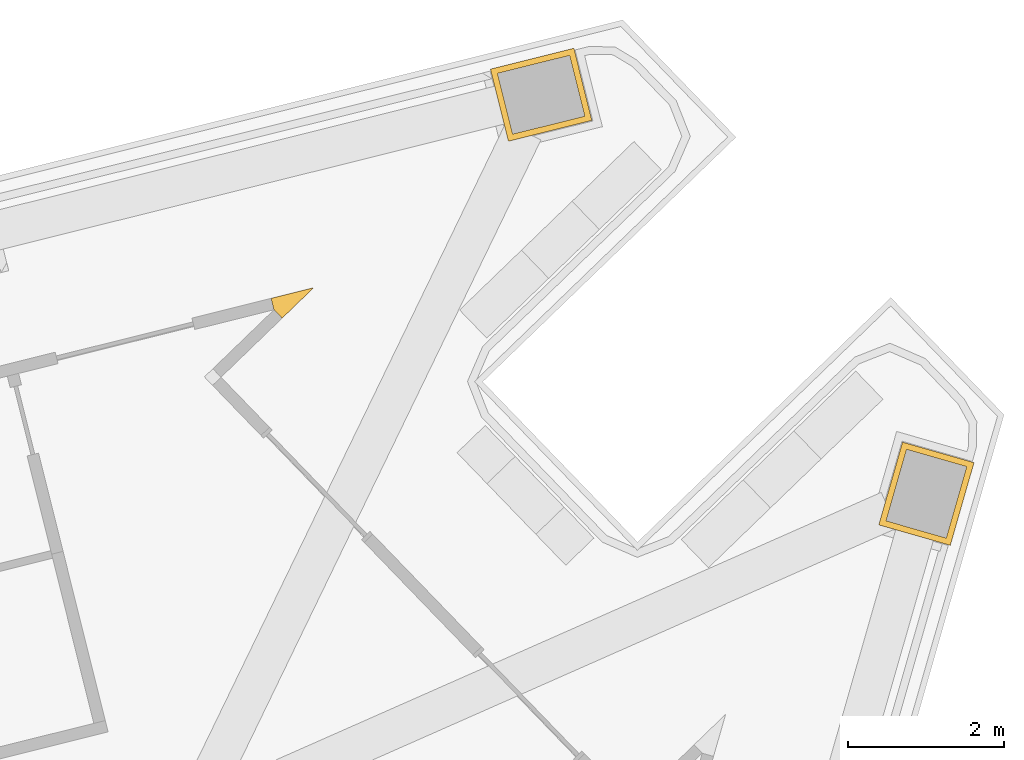
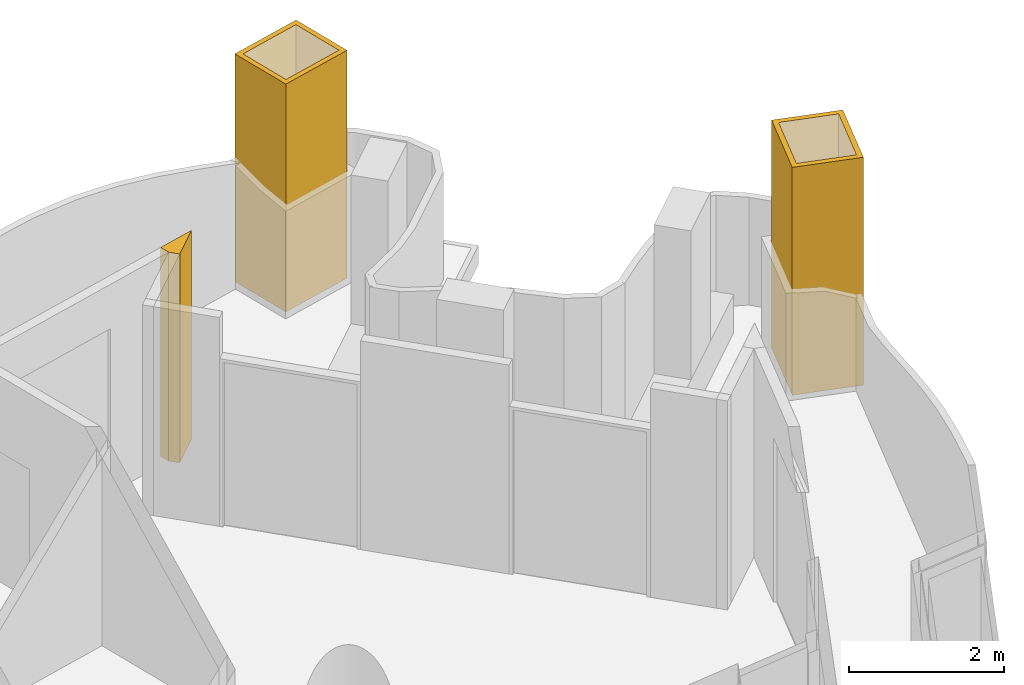
# One storey, part 19 of 20: 3 coverings.
"""IFC4 building model written with IfcOpenShell, lengths in metres."""

from ifc_helpers import new_model, si_unit, direction, frame, origin, place, context, subcontext, project, spatial, polyline, outline, extrude, material, layer, layer_set, type_object, element, save


model = new_model("IFC4")

# Units and contexts
model_context = context("Model", 3, precision=1e-05, world=origin(), true_north=direction((0.0, 1.0)))
body_context = subcontext(model_context, "Body", "Model", "MODEL_VIEW")
ifc_project = project(units=[si_unit("LENGTHUNIT", "METRE"), si_unit("AREAUNIT", "SQUARE_METRE"), si_unit("VOLUMEUNIT", "CUBIC_METRE"), si_unit("PLANEANGLEUNIT", "RADIAN"), si_unit("MASSUNIT", "GRAM", prefix="KILO")], contexts=[model_context])

# Site, building, storey
site_placement = place(None, origin())
site = spatial("IfcSite", under=ifc_project, at=site_placement, CompositionType="ELEMENT")
building_placement = place(site_placement, origin())
building = spatial("IfcBuilding", under=site, at=building_placement, Name="Trine Commons Tower", CompositionType="ELEMENT")
storey_placement = place(building_placement, frame((0.0, 0.0, 108.89990234375)))
storey = spatial("IfcBuildingStorey", under=building, at=storey_placement, Name="L27", CompositionType="ELEMENT", Elevation=108.89990234375)

# Coverings
ifc_material_1 = material(Name="Aluminium-framed insulated wall panel", Category="aluminium")
ifc_layer_1 = layer(ifc_material_1, 0.14990234375)
ifc_layer_set_1 = layer_set([ifc_layer_1], Name="Aluminium-framed insulated wall panel")
covering_type_1 = type_object("IfcCoveringType", Name="Glazing corner post, aluminium", PredefinedType="CLADDING", material=ifc_layer_set_1)
covering_1_placement = place(storey_placement, origin())
element("IfcCovering", 1, at=covering_1_placement, inside=storey, type_object=covering_type_1, Name="Glazing corner post 3-05", PredefinedType="CLADDING", context=body_context, shape_type="SweptSolid", body=[
    extrude(outline(polyline([(98.252197265625, 85.394775390625), (98.65478515625, 85.78369140625), (98.11181640625, 85.648193359375), (98.14794921875, 85.502685546875), (98.252197265625, 85.394775390625)])), origin(), (0.0, 0.0, 1.0), 3.300048828125),
])
ifc_material_2 = material(Name="Limestone, honed", Category="masonry")
ifc_layer_2 = layer(ifc_material_2, 0.074951171875)
ifc_layer_set_2 = layer_set([ifc_layer_2], Name="Limestone, honed")
covering_type_2 = type_object("IfcCoveringType", Name="Limestone column cladding 75", PredefinedType="CLADDING", material=ifc_layer_set_2)
covering_2_placement = place(storey_placement, origin())
element("IfcCovering", 2, at=covering_2_placement, inside=storey, type_object=covering_type_2, Name="Limestone pier cladding 3-16", PredefinedType="CLADDING", context=body_context, shape_type="SweptSolid", body=[
    extrude(outline(polyline([(102.211181640625, 87.922607421875), (101.9814453125, 88.84423828125), (100.9140625, 88.578125), (101.14404296875, 87.656494140625), (102.211181640625, 87.922607421875)]), holes=[polyline([(102.120361328125, 87.97705078125), (101.9267578125, 88.75341796875), (101.0048828125, 88.5234375), (101.198486328125, 87.747314453125), (102.120361328125, 87.97705078125)])]), origin(), (0.0, 0.0, 1.0), 3.60009765625),
])
covering_3_placement = place(storey_placement, origin())
element("IfcCovering", 3, at=covering_3_placement, inside=storey, type_object=covering_type_2, Name="Limestone pier cladding 3-17", PredefinedType="CLADDING", context=body_context, shape_type="SweptSolid", body=[
    extrude(outline(polyline([(107.095458984375, 83.548583984375), (106.18212890625, 83.810546875), (105.87890625, 82.753173828125), (106.792236328125, 82.4912109375), (107.095458984375, 83.548583984375)]), holes=[polyline([(107.002685546875, 83.497314453125), (106.233642578125, 83.7177734375), (105.9716796875, 82.8046875), (106.74072265625, 82.583984375), (107.002685546875, 83.497314453125)])]), origin(), (0.0, 0.0, 1.0), 3.60009765625),
])

save(model, "model.ifc")
